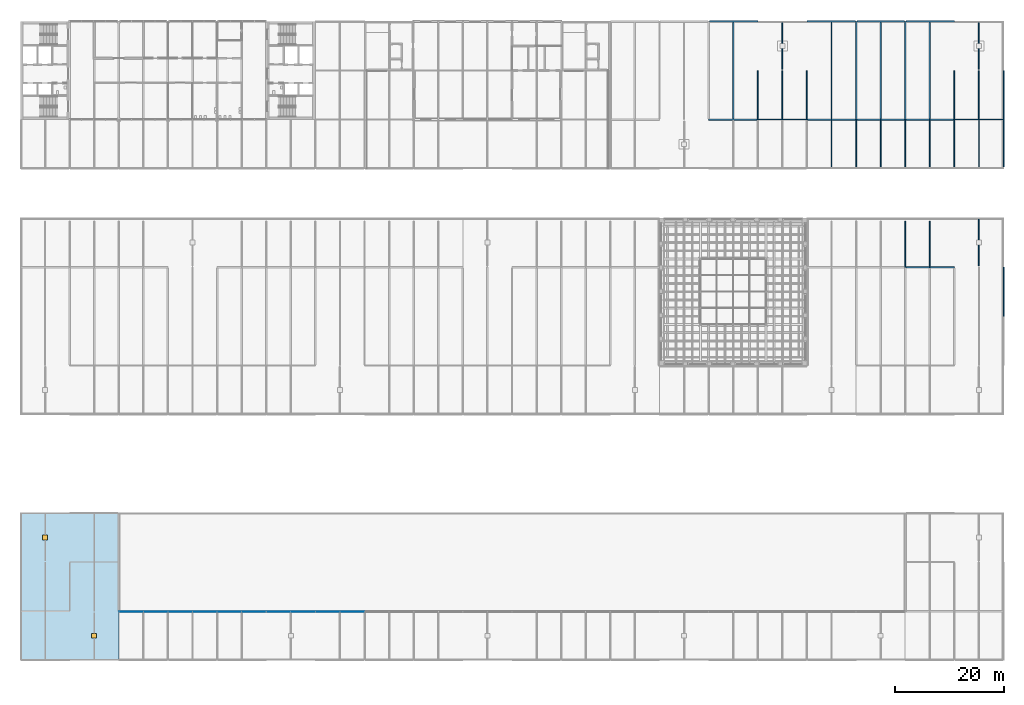
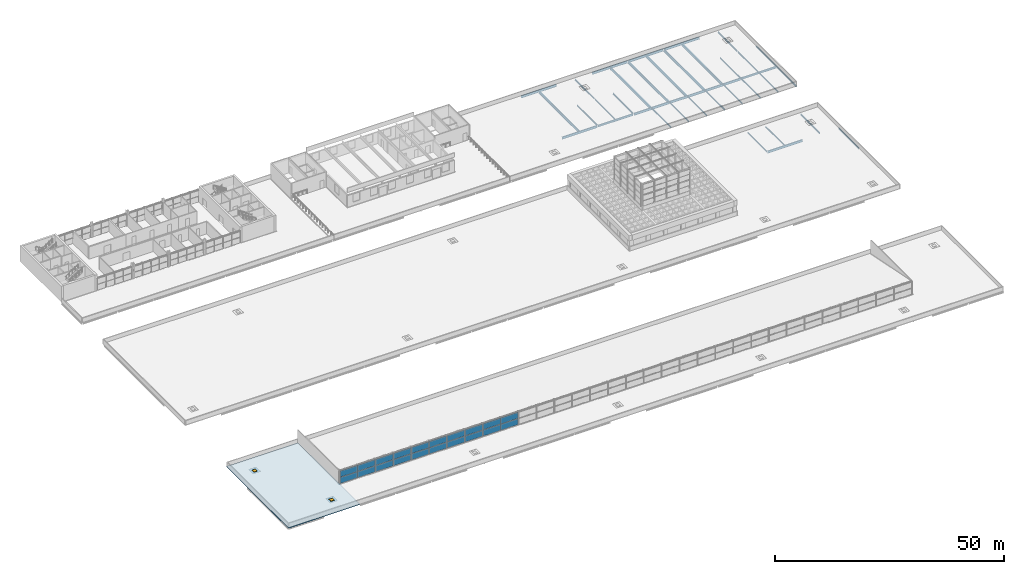
# One storey, part 37 of 50: 37 beams, 20 plates, 2 doors, 1 slab, 2 openings, 5 elements without a shape of their own.
"""IFC4 building model written with IfcOpenShell, lengths in metres."""

from ifc_helpers import new_model, si_unit, direction, frame, origin, origin_2d, place, context, subcontext, project, spatial, polyline, rectangle, i_section, outline, extrude, material, layer, layer_set, material_profile, profile_set, type_object, element, fill, aggregate, save


model = new_model("IFC4")

# Units and contexts
model_context = context("Model", 3, precision=1e-05, world=origin(), true_north=direction((0.0, 1.0)))
body_context = subcontext(model_context, "Body", "Model", "MODEL_VIEW")
ifc_project = project(units=[si_unit("LENGTHUNIT", "METRE"), si_unit("AREAUNIT", "SQUARE_METRE"), si_unit("VOLUMEUNIT", "CUBIC_METRE"), si_unit("PLANEANGLEUNIT", "RADIAN"), si_unit("MASSUNIT", "GRAM", prefix="KILO")], contexts=[model_context])

# Site, building, storey
site_placement = place(None, origin())
site = spatial("IfcSite", under=ifc_project, at=site_placement, CompositionType="ELEMENT")
building_placement = place(site_placement, origin())
building = spatial("IfcBuilding", under=site, at=building_placement, Name="Corbel Yard City Hall", CompositionType="ELEMENT")
storey_placement = place(building_placement, frame((0.0, 0.0, 15.0)))
storey = spatial("IfcBuildingStorey", under=building, at=storey_placement, Name="L03", CompositionType="ELEMENT", Elevation=15.0)

# Beams
ifc_material_1 = material(Name="Steel Grade 300 (300 MPa yield)", Category="steel")
ifc_material_profile_1 = material_profile(ifc_material_1, i_section(OverallWidth=0.166015625, OverallDepth=0.306884765625, WebThickness=0.006591796875, FlangeThickness=0.01171875, at=origin_2d()), Name="310UB46.2")
ifc_profile_set_1 = profile_set([ifc_material_profile_1], Name="Steel Grade 300 (300 MPa yield)")
beam_type_1 = type_object("IfcBeamType", Name="Beam 310UB46.2", PredefinedType="BEAM", material=ifc_profile_set_1)
beam_1_placement = place(storey_placement, frame((153.0, 90.39990234375, -0.303466796875), z_axis=(0.0, 1.0, 0.0), x_axis=(-1.0, 0.0, 0.0)))
element("IfcBeam", 1, at=beam_1_placement, inside=storey, type_object=beam_type_1, Name="Beam 310UB46.2 SB19 L03roof", PredefinedType="BEAM", context=body_context, shape_type="SweptSolid", body=[
    extrude(i_section(OverallWidth=0.166015625, OverallDepth=0.306884765625, WebThickness=0.006591796875, FlangeThickness=0.01171875, at=origin_2d()), origin(), (0.0, 0.0, 1.0), 8.5947265625),
])
beam_2_placement = place(storey_placement, frame((162.0, 72.00537109375, -0.303466796875), z_axis=(0.0, 1.0, 0.0), x_axis=(-1.0, 0.0, 0.0)))
element("IfcBeam", 2, at=beam_2_placement, inside=storey, type_object=beam_type_1, Name="Beam 310UB46.2 SB19 L03roof", PredefinedType="BEAM", context=body_context, shape_type="SweptSolid", body=[
    extrude(i_section(OverallWidth=0.166015625, OverallDepth=0.306884765625, WebThickness=0.006591796875, FlangeThickness=0.01171875, at=origin_2d()), origin(), (0.0, 0.0, 1.0), 8.39453125),
])
for number, where, z_axis, x_axis, name in (
    (3, (162.0, 90.39990234375, -0.303466796875), (0.0, 1.0, 0.0), (-1.0, 0.0, 0.0), "Beam 310UB46.2 SB19 L03roof"),
    (4, (171.0, 90.39990234375, -0.303466796875), (0.0, 1.0, 0.0), (-1.0, 0.0, 0.0), "Beam 310UB46.2 SB19 L03roof"),
):
    element("IfcBeam", number, at=place(storey_placement, frame(where, z_axis=z_axis, x_axis=x_axis)), inside=storey, type_object=beam_type_1, Name=name, PredefinedType="BEAM", context=body_context, shape_type="SweptSolid", body=[
        extrude(i_section(OverallWidth=0.166015625, OverallDepth=0.306884765625, WebThickness=0.006591796875, FlangeThickness=0.01171875, at=origin_2d()), origin(), (0.0, 0.0, 1.0), 8.5947265625),
    ])
ifc_material_profile_2 = material_profile(ifc_material_1, i_section(OverallWidth=0.1708984375, OverallDepth=0.35205078125, WebThickness=0.0068359375, FlangeThickness=0.009765625, at=origin_2d()), Name="360UB44.7")
ifc_profile_set_2 = profile_set([ifc_material_profile_2], Name="Steel Grade 300 (300 MPa yield)")
beam_type_2 = type_object("IfcBeamType", Name="Beam 360UB44.7", PredefinedType="BEAM", material=ifc_profile_set_2)
for number, where, z_axis, x_axis, name in (
    (5, (135.0, 99.00537109375, -0.325927734375), (0.0, 1.0, 0.0), (-1.0, 0.0, 0.0), "Beam 360UB44.7 SB13 L03roof"),
    (6, (144.0, 99.00537109375, -0.325927734375), (0.0, 1.0, 0.0), (-1.0, 0.0, 0.0), "Beam 360UB44.7 SB13 L03roof"),
    (7, (171.0, 99.00537109375, -0.325927734375), (0.0, 1.0, 0.0), (-1.0, 0.0, 0.0), "Beam 360UB44.7 SB13 L03roof"),
):
    element("IfcBeam", number, at=place(storey_placement, frame(where, z_axis=z_axis, x_axis=x_axis)), inside=storey, type_object=beam_type_2, Name=name, PredefinedType="BEAM", context=body_context, shape_type="SweptSolid", body=[
        extrude(i_section(OverallWidth=0.1708984375, OverallDepth=0.35205078125, WebThickness=0.0068359375, FlangeThickness=0.009765625, at=origin_2d()), origin(), (0.0, 0.0, 1.0), 8.99462890625),
    ])
ifc_material_profile_3 = material_profile(ifc_material_1, i_section(OverallWidth=0.172119140625, OverallDepth=0.35888671875, WebThickness=0.008056640625, FlangeThickness=0.012939453125, at=origin_2d()), Name="360UB56.7")
ifc_profile_set_3 = profile_set([ifc_material_profile_3], Name="Steel Grade 300 (300 MPa yield)")
beam_type_3 = type_object("IfcBeamType", Name="Edge beam 360UB56.7", PredefinedType="BEAM", material=ifc_profile_set_3)
beam_3_placement = place(storey_placement, frame((180.0, 63.00439453125, -0.32958984375), z_axis=(0.0, 1.0, 0.0), x_axis=(-1.0, 0.0, 0.0)))
element("IfcBeam", 8, at=beam_3_placement, inside=storey, type_object=beam_type_3, Name="Edge beam 360UB56.7 EB4 L03roof", PredefinedType="BEAM", context=body_context, shape_type="SweptSolid", body=[
    extrude(i_section(OverallWidth=0.172119140625, OverallDepth=0.35888671875, WebThickness=0.008056640625, FlangeThickness=0.012939453125, at=origin_2d()), origin(), (0.0, 0.0, 1.0), 8.99560546875),
])
beam_4_placement = place(storey_placement, frame((180.0, 90.39990234375, -0.32958984375), z_axis=(0.0, 1.0, 0.0), x_axis=(-1.0, 0.0, 0.0)))
element("IfcBeam", 9, at=beam_4_placement, inside=storey, type_object=beam_type_3, Name="Edge beam 360UB56.7 EB4 L03roof", PredefinedType="BEAM", context=body_context, shape_type="SweptSolid", body=[
    extrude(i_section(OverallWidth=0.172119140625, OverallDepth=0.35888671875, WebThickness=0.008056640625, FlangeThickness=0.012939453125, at=origin_2d()), origin(), (0.0, 0.0, 1.0), 8.595703125),
])
beam_5_placement = place(storey_placement, frame((180.0, 99.00439453125, -0.32958984375), z_axis=(0.0, 1.0, 0.0), x_axis=(-1.0, 0.0, 0.0)))
element("IfcBeam", 10, at=beam_5_placement, inside=storey, type_object=beam_type_3, Name="Edge beam 360UB56.7 EB4 L03roof", PredefinedType="BEAM", context=body_context, shape_type="SweptSolid", body=[
    extrude(i_section(OverallWidth=0.172119140625, OverallDepth=0.35888671875, WebThickness=0.008056640625, FlangeThickness=0.012939453125, at=origin_2d()), origin(), (0.0, 0.0, 1.0), 8.99560546875),
])
ifc_material_profile_4 = material_profile(ifc_material_1, i_section(OverallWidth=0.22900390625, OverallDepth=0.612060546875, WebThickness=0.011962890625, FlangeThickness=0.01953125, at=origin_2d()), Name="610UB125")
ifc_profile_set_4 = profile_set([ifc_material_profile_4], Name="Steel Grade 300 (300 MPa yield)")
beam_type_4 = type_object("IfcBeamType", Name="Edge beam 610UB125", PredefinedType="BEAM", material=ifc_profile_set_4)
for number, where, z_axis, x_axis, name in (
    (11, (126.126953125, 117.0, -0.4560546875), (1.0, 0.0, 0.0), (0.0, 1.0, 0.0), "Edge beam 610UB125 EB7 L03roof"),
    (12, (144.0, 117.0, -0.4560546875), (1.0, 0.0, 0.0), (0.0, 1.0, 0.0), "Edge beam 610UB125 EB7 L03roof"),
):
    element("IfcBeam", number, at=place(storey_placement, frame(where, z_axis=z_axis, x_axis=x_axis)), inside=storey, type_object=beam_type_4, Name=name, PredefinedType="BEAM", context=body_context, shape_type="SweptSolid", body=[
        extrude(i_section(OverallWidth=0.22900390625, OverallDepth=0.612060546875, WebThickness=0.011962890625, FlangeThickness=0.01953125, at=origin_2d()), origin(), (0.0, 0.0, 1.0), 8.873046875),
    ])
beam_6_placement = place(storey_placement, frame((153.126953125, 117.0, -0.4560546875), z_axis=(1.0, 0.0, 0.0), x_axis=(0.0, 1.0, 0.0)))
element("IfcBeam", 13, at=beam_6_placement, inside=storey, type_object=beam_type_4, Name="Edge beam 610UB125 EB7 L03roof", PredefinedType="BEAM", context=body_context, shape_type="SweptSolid", body=[
    extrude(i_section(OverallWidth=0.22900390625, OverallDepth=0.612060546875, WebThickness=0.011962890625, FlangeThickness=0.01953125, at=origin_2d()), origin(), (0.0, 0.0, 1.0), 8.74609375),
])
beam_7_placement = place(storey_placement, frame((162.126953125, 117.0, -0.4560546875), z_axis=(1.0, 0.0, 0.0), x_axis=(0.0, 1.0, 0.0)))
element("IfcBeam", 14, at=beam_7_placement, inside=storey, type_object=beam_type_4, Name="Edge beam 610UB125 EB7 L03roof", PredefinedType="BEAM", context=body_context, shape_type="SweptSolid", body=[
    extrude(i_section(OverallWidth=0.22900390625, OverallDepth=0.612060546875, WebThickness=0.011962890625, FlangeThickness=0.01953125, at=origin_2d()), origin(), (0.0, 0.0, 1.0), 8.873046875),
])
ifc_material_profile_5 = material_profile(ifc_material_1, i_section(OverallWidth=0.208984375, OverallDepth=0.528076171875, WebThickness=0.009521484375, FlangeThickness=0.01318359375, at=origin_2d()), Name="530UB82.0")
ifc_profile_set_5 = profile_set([ifc_material_profile_5], Name="Steel Grade 300 (300 MPa yield)")
beam_type_5 = type_object("IfcBeamType", Name="Girder 530UB82.0", PredefinedType="BEAM", material=ifc_profile_set_5)
beam_8_placement = place(storey_placement, frame((135.1298828125, 99.0, -0.4140625), z_axis=(1.0, 0.0, 0.0), x_axis=(0.0, 1.0, 0.0)))
element("IfcBeam", 15, at=beam_8_placement, inside=storey, type_object=beam_type_5, Name="Girder 530UB82.0 GB3 L03roof", PredefinedType="BEAM", context=body_context, shape_type="SweptSolid", body=[
    extrude(i_section(OverallWidth=0.208984375, OverallDepth=0.528076171875, WebThickness=0.009521484375, FlangeThickness=0.01318359375, at=origin_2d()), origin(), (0.0, 0.0, 1.0), 8.740234375),
])
beam_9_placement = place(storey_placement, frame((171.1298828125, 99.0, -0.4140625), z_axis=(1.0, 0.0, 0.0), x_axis=(0.0, 1.0, 0.0)))
element("IfcBeam", 16, at=beam_9_placement, inside=storey, type_object=beam_type_5, Name="Girder 530UB82.0 GB3 L03roof", PredefinedType="BEAM", context=body_context, shape_type="SweptSolid", body=[
    extrude(i_section(OverallWidth=0.208984375, OverallDepth=0.528076171875, WebThickness=0.009521484375, FlangeThickness=0.01318359375, at=origin_2d()), origin(), (0.0, 0.0, 1.0), 8.7431640625),
])
ifc_material_profile_6 = material_profile(ifc_material_1, i_section(OverallWidth=0.22900390625, OverallDepth=0.612060546875, WebThickness=0.011962890625, FlangeThickness=0.01953125, at=origin_2d()), Name="610UB125")
ifc_profile_set_6 = profile_set([ifc_material_profile_6], Name="Steel Grade 300 (300 MPa yield)")
beam_type_6 = type_object("IfcBeamType", Name="Girder 610UB125", PredefinedType="BEAM", material=ifc_profile_set_6)
for number, where, z_axis, x_axis, name in (
    (17, (162.1298828125, 72.0, -0.4560546875), (1.0, 0.0, 0.0), (0.0, 1.0, 0.0), "Girder 610UB125 GB1 L03roof"),
    (18, (126.0, 99.0, -0.4560546875), (1.0, 0.0, 0.0), (0.0, 1.0, 0.0), "Girder 610UB125 GB1 L03roof"),
):
    element("IfcBeam", number, at=place(storey_placement, frame(where, z_axis=z_axis, x_axis=x_axis)), inside=storey, type_object=beam_type_6, Name=name, PredefinedType="BEAM", context=body_context, shape_type="SweptSolid", body=[
        extrude(i_section(OverallWidth=0.22900390625, OverallDepth=0.612060546875, WebThickness=0.011962890625, FlangeThickness=0.01953125, at=origin_2d()), origin(), (0.0, 0.0, 1.0), 8.8701171875),
    ])
for number, where, z_axis, x_axis, name in (
    (19, (144.1298828125, 99.0, -0.4560546875), (1.0, 0.0, 0.0), (0.0, 1.0, 0.0), "Girder 610UB125 GB1 L03roof"),
    (20, (153.1298828125, 99.0, -0.4560546875), (1.0, 0.0, 0.0), (0.0, 1.0, 0.0), "Girder 610UB125 GB1 L03roof"),
    (21, (162.1298828125, 99.0, -0.4560546875), (1.0, 0.0, 0.0), (0.0, 1.0, 0.0), "Girder 610UB125 GB1 L03roof"),
):
    element("IfcBeam", number, at=place(storey_placement, frame(where, z_axis=z_axis, x_axis=x_axis)), inside=storey, type_object=beam_type_6, Name=name, PredefinedType="BEAM", context=body_context, shape_type="SweptSolid", body=[
        extrude(i_section(OverallWidth=0.22900390625, OverallDepth=0.612060546875, WebThickness=0.011962890625, FlangeThickness=0.01953125, at=origin_2d()), origin(), (0.0, 0.0, 1.0), 8.740234375),
    ])
ifc_material_2 = material(Name="Steel Grade 350", Category="steel")
ifc_material_profile_7 = material_profile(ifc_material_2, i_section(OverallWidth=0.25, OverallDepth=0.699951171875, WebThickness=0.010009765625, FlangeThickness=0.02001953125, at=origin_2d()), Name="700WB130")
ifc_profile_set_7 = profile_set([ifc_material_profile_7], Name="Steel Grade 350")
beam_type_7 = type_object("IfcBeamType", Name="Long-span beam 700WB130", PredefinedType="BEAM", material=ifc_profile_set_7)
for number, where, z_axis, x_axis, name in (
    (22, (153.0, 99.00537109375, -0.5), (0.0, 1.0, 0.0), (-1.0, 0.0, 0.0), "Long-span beam 700WB130 SB18 L03roof"),
    (23, (162.0, 99.00537109375, -0.5), (0.0, 1.0, 0.0), (-1.0, 0.0, 0.0), "Long-span beam 700WB130 SB18 L03roof"),
):
    element("IfcBeam", number, at=place(storey_placement, frame(where, z_axis=z_axis, x_axis=x_axis)), inside=storey, type_object=beam_type_7, Name=name, PredefinedType="BEAM", context=body_context, shape_type="SweptSolid", body=[
        extrude(i_section(OverallWidth=0.25, OverallDepth=0.699951171875, WebThickness=0.010009765625, FlangeThickness=0.02001953125, at=origin_2d()), origin(), (0.0, 0.0, 1.0), 17.990234375),
    ])
ifc_material_profile_8 = material_profile(ifc_material_2, i_section(OverallWidth=0.25, OverallDepth=0.699951171875, WebThickness=0.010009765625, FlangeThickness=0.02001953125, at=origin_2d()), Name="700WB130")
ifc_profile_set_8 = profile_set([ifc_material_profile_8], Name="Steel Grade 350")
beam_type_8 = type_object("IfcBeamType", Name="Long-span secondary beam 700WB130", PredefinedType="JOIST", material=ifc_profile_set_8)
for number, where, z_axis, x_axis, name in (
    (24, (130.5, 99.114501953125, -0.5), (0.0, 1.0, 0.0), (-1.0, 0.0, 0.0), "Long-span secondary beam 700WB130 SB16 L03roof"),
    (25, (148.5, 99.114501953125, -0.5), (0.0, 1.0, 0.0), (-1.0, 0.0, 0.0), "Long-span secondary beam 700WB130 SB16 L03roof"),
    (26, (157.5, 99.114501953125, -0.5), (0.0, 1.0, 0.0), (-1.0, 0.0, 0.0), "Long-span secondary beam 700WB130 SB16 L03roof"),
    (27, (166.5, 99.114501953125, -0.5), (0.0, 1.0, 0.0), (-1.0, 0.0, 0.0), "Long-span secondary beam 700WB130 SB16 L03roof"),
):
    element("IfcBeam", number, at=place(storey_placement, frame(where, z_axis=z_axis, x_axis=x_axis)), inside=storey, type_object=beam_type_8, Name=name, PredefinedType="JOIST", context=body_context, shape_type="SweptSolid", body=[
        extrude(i_section(OverallWidth=0.25, OverallDepth=0.699951171875, WebThickness=0.010009765625, FlangeThickness=0.02001953125, at=origin_2d()), origin(), (0.0, 0.0, 1.0), 17.77099609375),
    ])
ifc_material_profile_9 = material_profile(ifc_material_1, i_section(OverallWidth=0.166015625, OverallDepth=0.306884765625, WebThickness=0.006591796875, FlangeThickness=0.01171875, at=origin_2d()), Name="310UB46.2")
ifc_profile_set_9 = profile_set([ifc_material_profile_9], Name="Steel Grade 300 (300 MPa yield)")
beam_type_9 = type_object("IfcBeamType", Name="Secondary beam 310UB46.2", PredefinedType="JOIST", material=ifc_profile_set_9)
for number, where, z_axis, x_axis, name in (
    (28, (148.5, 90.39990234375, -0.303466796875), (0.0, 1.0, 0.0), (-1.0, 0.0, 0.0), "Secondary beam 310UB46.2 SB17 L03roof"),
    (29, (157.5, 90.39990234375, -0.303466796875), (0.0, 1.0, 0.0), (-1.0, 0.0, 0.0), "Secondary beam 310UB46.2 SB17 L03roof"),
):
    element("IfcBeam", number, at=place(storey_placement, frame(where, z_axis=z_axis, x_axis=x_axis)), inside=storey, type_object=beam_type_9, Name=name, PredefinedType="JOIST", context=body_context, shape_type="SweptSolid", body=[
        extrude(i_section(OverallWidth=0.166015625, OverallDepth=0.306884765625, WebThickness=0.006591796875, FlangeThickness=0.01171875, at=origin_2d()), origin(), (0.0, 0.0, 1.0), 8.485595703125),
    ])
beam_10_placement = place(storey_placement, frame((166.5, 72.114501953125, -0.303466796875), z_axis=(0.0, 1.0, 0.0), x_axis=(-1.0, 0.0, 0.0)))
element("IfcBeam", 30, at=beam_10_placement, inside=storey, type_object=beam_type_9, Name="Secondary beam 310UB46.2 SB17 L03roof", PredefinedType="JOIST", context=body_context, shape_type="SweptSolid", body=[
    extrude(i_section(OverallWidth=0.166015625, OverallDepth=0.306884765625, WebThickness=0.006591796875, FlangeThickness=0.01171875, at=origin_2d()), origin(), (0.0, 0.0, 1.0), 8.285400390625),
])
beam_11_placement = place(storey_placement, frame((166.5, 90.39990234375, -0.303466796875), z_axis=(0.0, 1.0, 0.0), x_axis=(-1.0, 0.0, 0.0)))
element("IfcBeam", 31, at=beam_11_placement, inside=storey, type_object=beam_type_9, Name="Secondary beam 310UB46.2 SB17 L03roof", PredefinedType="JOIST", context=body_context, shape_type="SweptSolid", body=[
    extrude(i_section(OverallWidth=0.166015625, OverallDepth=0.306884765625, WebThickness=0.006591796875, FlangeThickness=0.01171875, at=origin_2d()), origin(), (0.0, 0.0, 1.0), 8.485595703125),
])
beam_12_placement = place(storey_placement, frame((175.5, 90.39990234375, -0.303466796875), z_axis=(0.0, 1.0, 0.0), x_axis=(-1.0, 0.0, 0.0)))
element("IfcBeam", 32, at=beam_12_placement, inside=storey, type_object=beam_type_9, Name="Secondary beam 310UB46.2 SB17 L03roof", PredefinedType="JOIST", context=body_context, shape_type="SweptSolid", body=[
    extrude(i_section(OverallWidth=0.166015625, OverallDepth=0.306884765625, WebThickness=0.006591796875, FlangeThickness=0.01171875, at=origin_2d()), origin(), (0.0, 0.0, 1.0), 8.49560546875),
])
ifc_material_profile_10 = material_profile(ifc_material_1, i_section(OverallWidth=0.1708984375, OverallDepth=0.35205078125, WebThickness=0.0068359375, FlangeThickness=0.009765625, at=origin_2d()), Name="360UB44.7")
ifc_profile_set_10 = profile_set([ifc_material_profile_10], Name="Steel Grade 300 (300 MPa yield)")
beam_type_10 = type_object("IfcBeamType", Name="Secondary beam 360UB44.7", PredefinedType="JOIST", material=ifc_profile_set_10)
for number, where, z_axis, x_axis, name in (
    (33, (139.5, 99.1044921875, -0.325927734375), (0.0, 1.0, 0.0), (-1.0, 0.0, 0.0), "Secondary beam 360UB44.7 SB11 L03roof"),
    (34, (175.5, 99.1044921875, -0.325927734375), (0.0, 1.0, 0.0), (-1.0, 0.0, 0.0), "Secondary beam 360UB44.7 SB11 L03roof"),
):
    element("IfcBeam", number, at=place(storey_placement, frame(where, z_axis=z_axis, x_axis=x_axis)), inside=storey, type_object=beam_type_10, Name=name, PredefinedType="JOIST", context=body_context, shape_type="SweptSolid", body=[
        extrude(i_section(OverallWidth=0.1708984375, OverallDepth=0.35205078125, WebThickness=0.0068359375, FlangeThickness=0.009765625, at=origin_2d()), origin(), (0.0, 0.0, 1.0), 8.8955078125),
    ])
for number, where, z_axis, x_axis, name in (
    (35, (175.5, 72.25, -0.325927734375), (0.0, 1.0, 0.0), (-1.0, 0.0, 0.0), "Core roof beam 360UB44.7 SB11 PC-M8"),
    (36, (139.5, 108.25, -0.325927734375), (0.0, 1.0, 0.0), (-1.0, 0.0, 0.0), "Core roof beam 360UB44.7 SB11 PC-N3"),
    (37, (175.5, 108.25, -0.325927734375), (0.0, 1.0, 0.0), (-1.0, 0.0, 0.0), "Core roof beam 360UB44.7 SB11 PC-N4"),
):
    element("IfcBeam", number, at=place(storey_placement, frame(where, z_axis=z_axis, x_axis=x_axis)), inside=storey, type_object=beam_type_10, Name=name, PredefinedType="JOIST", context=body_context, shape_type="SweptSolid", body=[
        extrude(i_section(OverallWidth=0.1708984375, OverallDepth=0.35205078125, WebThickness=0.0068359375, FlangeThickness=0.009765625, at=origin_2d()), origin(), (0.0, 0.0, 1.0), 8.5),
    ])

# Curtain wall, plates
ifc_material_3 = material(Name="Aluminium extrusion", Category="aluminium")
ifc_layer_1 = layer(ifc_material_3, 0.219970703125)
ifc_layer_set_1 = layer_set([ifc_layer_1], Name="Aluminium extrusion")
curtain_wall_type = type_object("IfcCurtainWallType", Name="CW5", PredefinedType="USERDEFINED", material=ifc_layer_set_1)
curtain_wall_1_placement = place(storey_placement, origin())
curtain_wall_1 = element("IfcCurtainWall", 38, at=curtain_wall_1_placement, inside=storey, type_object=curtain_wall_type, Name="Hall south clerestory curtain wall", ObjectType="CURTAIN WALL", PredefinedType="USERDEFINED")
ifc_material_4 = material(Name="Acoustic laminated glass", Category="glass")
ifc_layer_2 = layer(ifc_material_4, 0.031982421875)
ifc_layer_set_2 = layer_set([ifc_layer_2], Name="Acoustic laminated glass")
plate_type = type_object("IfcPlateType", Name="PN6", PredefinedType="CURTAIN_PANEL", material=ifc_layer_set_2)
plate_1_placement = place(storey_placement, frame((20.266357421875, 8.889892578125, 0.06494140625), z_axis=(0.0, 0.0, 1.0), x_axis=(1.0, 0.0, 0.0)))
plate_1 = element("IfcPlate", 39, at=plate_1_placement, type_object=plate_type, Name="CW5 panel 1.1", PredefinedType="CURTAIN_PANEL", context=body_context, shape_type="SweptSolid", body=[
    extrude(rectangle(XDim=4.402587890625, YDim=0.031982421875, at=origin_2d()), origin(), (0.0, 0.0, 1.0), 1.62744140625),
])
plate_2_placement = place(storey_placement, frame((20.266357421875, 8.889892578125, 1.757568359375), z_axis=(0.0, 0.0, 1.0), x_axis=(1.0, 0.0, 0.0)))
plate_2 = element("IfcPlate", 40, at=plate_2_placement, type_object=plate_type, Name="CW5 panel 1.2", PredefinedType="CURTAIN_PANEL", context=body_context, shape_type="SweptSolid", body=[
    extrude(rectangle(XDim=4.402587890625, YDim=0.031982421875, at=origin_2d()), origin(), (0.0, 0.0, 1.0), 1.62744140625),
])
plate_3_placement = place(storey_placement, frame((24.733642578125, 8.889892578125, 0.06494140625), z_axis=(0.0, 0.0, 1.0), x_axis=(1.0, 0.0, 0.0)))
plate_3 = element("IfcPlate", 41, at=plate_3_placement, type_object=plate_type, Name="CW5 panel 2.1", PredefinedType="CURTAIN_PANEL", context=body_context, shape_type="SweptSolid", body=[
    extrude(rectangle(XDim=4.402587890625, YDim=0.031982421875, at=origin_2d()), origin(), (0.0, 0.0, 1.0), 1.62744140625),
])
plate_4_placement = place(storey_placement, frame((24.733642578125, 8.889892578125, 1.757568359375), z_axis=(0.0, 0.0, 1.0), x_axis=(1.0, 0.0, 0.0)))
plate_4 = element("IfcPlate", 42, at=plate_4_placement, type_object=plate_type, Name="CW5 panel 2.2", PredefinedType="CURTAIN_PANEL", context=body_context, shape_type="SweptSolid", body=[
    extrude(rectangle(XDim=4.402587890625, YDim=0.031982421875, at=origin_2d()), origin(), (0.0, 0.0, 1.0), 1.62744140625),
])
aggregate(curtain_wall_1, [plate_1, plate_2, plate_3, plate_4])

curtain_wall_2_placement = place(storey_placement, origin())
curtain_wall_2 = element("IfcCurtainWall", 43, at=curtain_wall_2_placement, inside=storey, type_object=curtain_wall_type, Name="Hall south clerestory curtain wall", ObjectType="CURTAIN WALL", PredefinedType="USERDEFINED")
plate_5_placement = place(storey_placement, frame((29.266357421875, 8.889892578125, 0.06494140625), z_axis=(0.0, 0.0, 1.0), x_axis=(1.0, 0.0, 0.0)))
plate_5 = element("IfcPlate", 44, at=plate_5_placement, type_object=plate_type, Name="CW5 panel 1.1", PredefinedType="CURTAIN_PANEL", context=body_context, shape_type="SweptSolid", body=[
    extrude(rectangle(XDim=4.402587890625, YDim=0.031982421875, at=origin_2d()), origin(), (0.0, 0.0, 1.0), 1.62744140625),
])
plate_6_placement = place(storey_placement, frame((29.266357421875, 8.889892578125, 1.757568359375), z_axis=(0.0, 0.0, 1.0), x_axis=(1.0, 0.0, 0.0)))
plate_6 = element("IfcPlate", 45, at=plate_6_placement, type_object=plate_type, Name="CW5 panel 1.2", PredefinedType="CURTAIN_PANEL", context=body_context, shape_type="SweptSolid", body=[
    extrude(rectangle(XDim=4.402587890625, YDim=0.031982421875, at=origin_2d()), origin(), (0.0, 0.0, 1.0), 1.62744140625),
])
plate_7_placement = place(storey_placement, frame((33.733642578125, 8.889892578125, 0.06494140625), z_axis=(0.0, 0.0, 1.0), x_axis=(1.0, 0.0, 0.0)))
plate_7 = element("IfcPlate", 46, at=plate_7_placement, type_object=plate_type, Name="CW5 panel 2.1", PredefinedType="CURTAIN_PANEL", context=body_context, shape_type="SweptSolid", body=[
    extrude(rectangle(XDim=4.402587890625, YDim=0.031982421875, at=origin_2d()), origin(), (0.0, 0.0, 1.0), 1.62744140625),
])
plate_8_placement = place(storey_placement, frame((33.733642578125, 8.889892578125, 1.757568359375), z_axis=(0.0, 0.0, 1.0), x_axis=(1.0, 0.0, 0.0)))
plate_8 = element("IfcPlate", 47, at=plate_8_placement, type_object=plate_type, Name="CW5 panel 2.2", PredefinedType="CURTAIN_PANEL", context=body_context, shape_type="SweptSolid", body=[
    extrude(rectangle(XDim=4.402587890625, YDim=0.031982421875, at=origin_2d()), origin(), (0.0, 0.0, 1.0), 1.62744140625),
])
aggregate(curtain_wall_2, [plate_5, plate_6, plate_7, plate_8])

curtain_wall_3_placement = place(storey_placement, origin())
curtain_wall_3 = element("IfcCurtainWall", 48, at=curtain_wall_3_placement, inside=storey, type_object=curtain_wall_type, Name="Hall south clerestory curtain wall", ObjectType="CURTAIN WALL", PredefinedType="USERDEFINED")
plate_9_placement = place(storey_placement, frame((38.266357421875, 8.889892578125, 0.06494140625), z_axis=(0.0, 0.0, 1.0), x_axis=(1.0, 0.0, 0.0)))
plate_9 = element("IfcPlate", 49, at=plate_9_placement, type_object=plate_type, Name="CW5 panel 1.1", PredefinedType="CURTAIN_PANEL", context=body_context, shape_type="SweptSolid", body=[
    extrude(rectangle(XDim=4.402587890625, YDim=0.031982421875, at=origin_2d()), origin(), (0.0, 0.0, 1.0), 1.62744140625),
])
plate_10_placement = place(storey_placement, frame((38.266357421875, 8.889892578125, 1.757568359375), z_axis=(0.0, 0.0, 1.0), x_axis=(1.0, 0.0, 0.0)))
plate_10 = element("IfcPlate", 50, at=plate_10_placement, type_object=plate_type, Name="CW5 panel 1.2", PredefinedType="CURTAIN_PANEL", context=body_context, shape_type="SweptSolid", body=[
    extrude(rectangle(XDim=4.402587890625, YDim=0.031982421875, at=origin_2d()), origin(), (0.0, 0.0, 1.0), 1.62744140625),
])
plate_11_placement = place(storey_placement, frame((42.733642578125, 8.889892578125, 0.06494140625), z_axis=(0.0, 0.0, 1.0), x_axis=(1.0, 0.0, 0.0)))
plate_11 = element("IfcPlate", 51, at=plate_11_placement, type_object=plate_type, Name="CW5 panel 2.1", PredefinedType="CURTAIN_PANEL", context=body_context, shape_type="SweptSolid", body=[
    extrude(rectangle(XDim=4.402587890625, YDim=0.031982421875, at=origin_2d()), origin(), (0.0, 0.0, 1.0), 1.62744140625),
])
plate_12_placement = place(storey_placement, frame((42.733642578125, 8.889892578125, 1.757568359375), z_axis=(0.0, 0.0, 1.0), x_axis=(1.0, 0.0, 0.0)))
plate_12 = element("IfcPlate", 52, at=plate_12_placement, type_object=plate_type, Name="CW5 panel 2.2", PredefinedType="CURTAIN_PANEL", context=body_context, shape_type="SweptSolid", body=[
    extrude(rectangle(XDim=4.402587890625, YDim=0.031982421875, at=origin_2d()), origin(), (0.0, 0.0, 1.0), 1.62744140625),
])
aggregate(curtain_wall_3, [plate_9, plate_10, plate_11, plate_12])

curtain_wall_4_placement = place(storey_placement, origin())
curtain_wall_4 = element("IfcCurtainWall", 53, at=curtain_wall_4_placement, inside=storey, type_object=curtain_wall_type, Name="Hall south clerestory curtain wall", ObjectType="CURTAIN WALL", PredefinedType="USERDEFINED")
plate_13_placement = place(storey_placement, frame((47.266357421875, 8.889892578125, 0.06494140625), z_axis=(0.0, 0.0, 1.0), x_axis=(1.0, 0.0, 0.0)))
plate_13 = element("IfcPlate", 54, at=plate_13_placement, type_object=plate_type, Name="CW5 panel 1.1", PredefinedType="CURTAIN_PANEL", context=body_context, shape_type="SweptSolid", body=[
    extrude(rectangle(XDim=4.402587890625, YDim=0.031982421875, at=origin_2d()), origin(), (0.0, 0.0, 1.0), 1.62744140625),
])
plate_14_placement = place(storey_placement, frame((47.266357421875, 8.889892578125, 1.757568359375), z_axis=(0.0, 0.0, 1.0), x_axis=(1.0, 0.0, 0.0)))
plate_14 = element("IfcPlate", 55, at=plate_14_placement, type_object=plate_type, Name="CW5 panel 1.2", PredefinedType="CURTAIN_PANEL", context=body_context, shape_type="SweptSolid", body=[
    extrude(rectangle(XDim=4.402587890625, YDim=0.031982421875, at=origin_2d()), origin(), (0.0, 0.0, 1.0), 1.62744140625),
])
plate_15_placement = place(storey_placement, frame((51.733642578125, 8.889892578125, 0.06494140625), z_axis=(0.0, 0.0, 1.0), x_axis=(1.0, 0.0, 0.0)))
plate_15 = element("IfcPlate", 56, at=plate_15_placement, type_object=plate_type, Name="CW5 panel 2.1", PredefinedType="CURTAIN_PANEL", context=body_context, shape_type="SweptSolid", body=[
    extrude(rectangle(XDim=4.402587890625, YDim=0.031982421875, at=origin_2d()), origin(), (0.0, 0.0, 1.0), 1.62744140625),
])
plate_16_placement = place(storey_placement, frame((51.733642578125, 8.889892578125, 1.757568359375), z_axis=(0.0, 0.0, 1.0), x_axis=(1.0, 0.0, 0.0)))
plate_16 = element("IfcPlate", 57, at=plate_16_placement, type_object=plate_type, Name="CW5 panel 2.2", PredefinedType="CURTAIN_PANEL", context=body_context, shape_type="SweptSolid", body=[
    extrude(rectangle(XDim=4.402587890625, YDim=0.031982421875, at=origin_2d()), origin(), (0.0, 0.0, 1.0), 1.62744140625),
])
aggregate(curtain_wall_4, [plate_13, plate_14, plate_15, plate_16])

curtain_wall_5_placement = place(storey_placement, origin())
curtain_wall_5 = element("IfcCurtainWall", 58, at=curtain_wall_5_placement, inside=storey, type_object=curtain_wall_type, Name="Hall south clerestory curtain wall", ObjectType="CURTAIN WALL", PredefinedType="USERDEFINED")
plate_17_placement = place(storey_placement, frame((56.266357421875, 8.889892578125, 0.06494140625), z_axis=(0.0, 0.0, 1.0), x_axis=(1.0, 0.0, 0.0)))
plate_17 = element("IfcPlate", 59, at=plate_17_placement, type_object=plate_type, Name="CW5 panel 1.1", PredefinedType="CURTAIN_PANEL", context=body_context, shape_type="SweptSolid", body=[
    extrude(rectangle(XDim=4.402587890625, YDim=0.031982421875, at=origin_2d()), origin(), (0.0, 0.0, 1.0), 1.62744140625),
])
plate_18_placement = place(storey_placement, frame((56.266357421875, 8.889892578125, 1.757568359375), z_axis=(0.0, 0.0, 1.0), x_axis=(1.0, 0.0, 0.0)))
plate_18 = element("IfcPlate", 60, at=plate_18_placement, type_object=plate_type, Name="CW5 panel 1.2", PredefinedType="CURTAIN_PANEL", context=body_context, shape_type="SweptSolid", body=[
    extrude(rectangle(XDim=4.402587890625, YDim=0.031982421875, at=origin_2d()), origin(), (0.0, 0.0, 1.0), 1.62744140625),
])
plate_19_placement = place(storey_placement, frame((60.733642578125, 8.889892578125, 0.06494140625), z_axis=(0.0, 0.0, 1.0), x_axis=(1.0, 0.0, 0.0)))
plate_19 = element("IfcPlate", 61, at=plate_19_placement, type_object=plate_type, Name="CW5 panel 2.1", PredefinedType="CURTAIN_PANEL", context=body_context, shape_type="SweptSolid", body=[
    extrude(rectangle(XDim=4.402587890625, YDim=0.031982421875, at=origin_2d()), origin(), (0.0, 0.0, 1.0), 1.62744140625),
])
plate_20_placement = place(storey_placement, frame((60.733642578125, 8.889892578125, 1.757568359375), z_axis=(0.0, 0.0, 1.0), x_axis=(1.0, 0.0, 0.0)))
plate_20 = element("IfcPlate", 62, at=plate_20_placement, type_object=plate_type, Name="CW5 panel 2.2", PredefinedType="CURTAIN_PANEL", context=body_context, shape_type="SweptSolid", body=[
    extrude(rectangle(XDim=4.402587890625, YDim=0.031982421875, at=origin_2d()), origin(), (0.0, 0.0, 1.0), 1.62744140625),
])
aggregate(curtain_wall_5, [plate_17, plate_18, plate_19, plate_20])

# Slab, openings, doors
ifc_material_5 = material(Name="Concrete N40 (40 MPa)", Category="concrete")
ifc_layer_3 = layer(ifc_material_5, 0.14990234375)
ifc_layer_set_3 = layer_set([ifc_layer_3], Name="Concrete N40 (40 MPa)")
slab_type = type_object("IfcSlabType", Name="Roof deck 150", PredefinedType="ROOF", material=ifc_layer_set_3)
slab_placement = place(storey_placement, frame((0.0, 0.0, -0.14990234375)))
slab = element("IfcSlab", 63, at=slab_placement, inside=storey, type_object=slab_type, Name="Roof deck Station Link", PredefinedType="ROOF", context=body_context, shape_type="SweptSolid", body=[
    extrude(outline(polyline([(0.0, 0.0), (18.0, 0.0), (18.0, 27.0), (0.0, 27.0), (0.0, 0.0)])), origin(), (0.0, 0.0, 1.0), 0.14990234375),
])
opening_1_placement = place(slab_placement, frame((13.5, 4.5, 0.0)))
opening_1 = element("IfcOpeningElement", 64, at=opening_1_placement, cuts=slab, Name="Opening HT1", PredefinedType="OPENING", context=body_context, shape_type="SweptSolid", body=[
    extrude(rectangle(XDim=0.89990234375, YDim=0.89990234375, at=origin_2d()), frame((0.0, 0.0, -0.010009765625)), (0.0, 0.0, 1.0), 0.169921875),
])
opening_2_placement = place(slab_placement, frame((4.5, 22.5, 0.0)))
opening_2 = element("IfcOpeningElement", 65, at=opening_2_placement, cuts=slab, Name="Opening HT1", PredefinedType="OPENING", context=body_context, shape_type="SweptSolid", body=[
    extrude(rectangle(XDim=0.89990234375, YDim=0.89990234375, at=origin_2d()), frame((0.0, 0.0, -0.010009765625)), (0.0, 0.0, 1.0), 0.169921875),
])
ifc_material_6 = material(Name="Steel Grade G250", Category="steel")
door_type = type_object("IfcDoorType", Name="HT1", OperationType="SINGLE_SWING_LEFT", PredefinedType="TRAPDOOR", material=ifc_material_6)
door_1_placement = place(opening_1_placement, frame((0.0, 0.0, 0.099853515625)))
door_1 = element("IfcDoor", 66, at=door_1_placement, inside=storey, type_object=door_type, Name="Roof hatch PC-S0", OperationType="SINGLE_SWING_LEFT", OverallHeight=0.89990234375, OverallWidth=0.89990234375, PredefinedType="TRAPDOOR", context=body_context, shape_type="SweptSolid", body=[
    extrude(rectangle(XDim=0.89990234375, YDim=0.89990234375, at=origin_2d()), origin(), (0.0, 0.0, 1.0), 0.050048828125),
])
fill(opening_1, door_1)
door_2_placement = place(opening_2_placement, frame((0.0, 0.0, 0.099853515625)))
door_2 = element("IfcDoor", 67, at=door_2_placement, inside=storey, type_object=door_type, Name="Roof hatch PC-S5", OperationType="SINGLE_SWING_LEFT", OverallHeight=0.89990234375, OverallWidth=0.89990234375, PredefinedType="TRAPDOOR", context=body_context, shape_type="SweptSolid", body=[
    extrude(rectangle(XDim=0.89990234375, YDim=0.89990234375, at=origin_2d()), origin(), (0.0, 0.0, 1.0), 0.050048828125),
])
fill(opening_2, door_2)

save(model, "model.ifc")
